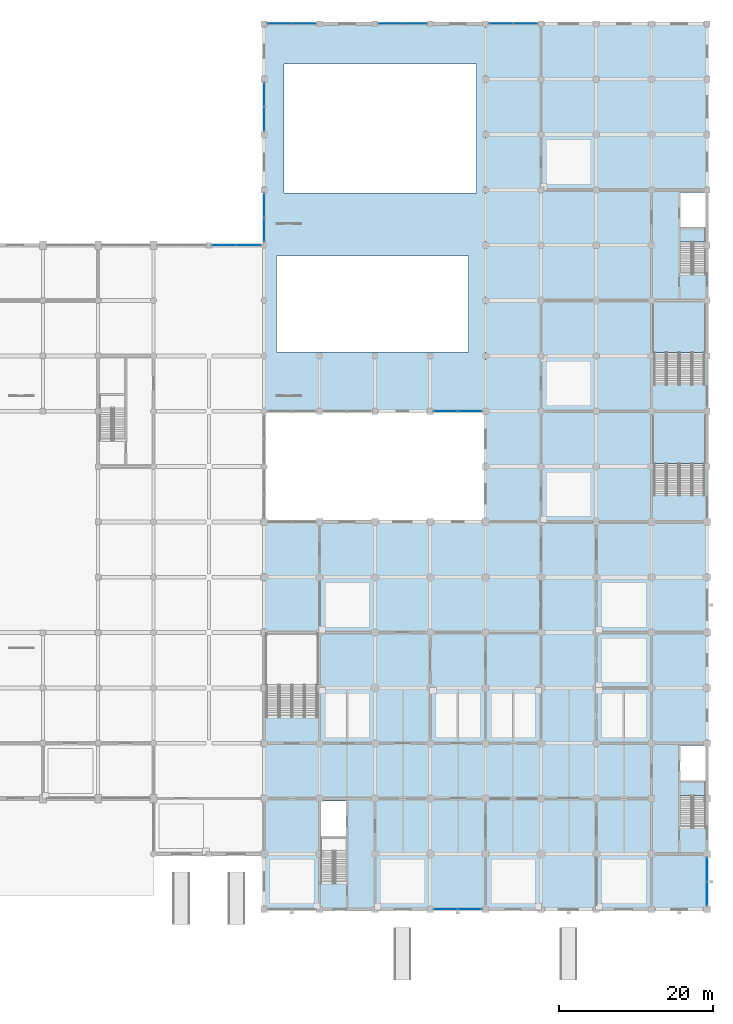
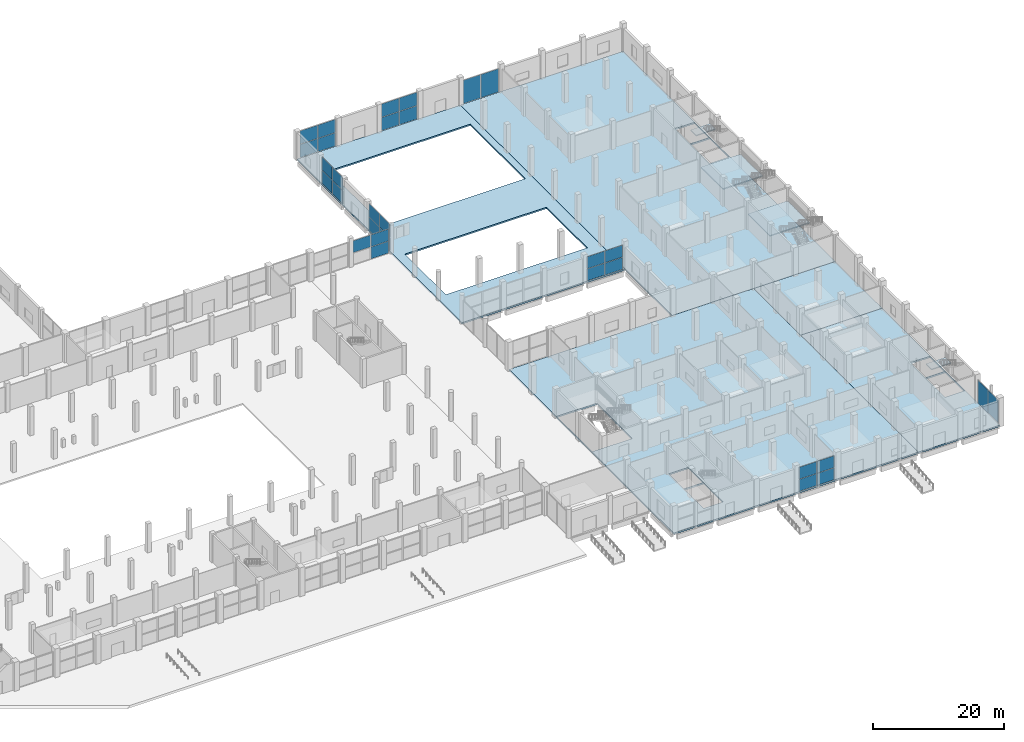
# One storey, part 43 of 70: 31 plates, 9 slabs, 13 elements without a shape of their own.
"""IFC4 building model written with IfcOpenShell, lengths in metres."""

import ifcopenshell
import ifcopenshell.guid

model = None  # the IFC model being written
_history = None  # IfcOwnerHistory: only IFC2X3 demands one
_inside = {}  # id of a spatial element -> (the spatial element, [elements in it])
_under = {}  # id of a project, library or spatial element -> (it, [spatial elements below it])
_declared = {}  # id of a project -> (the project, [libraries it declares])
_typed = {}  # id of a type object -> (the type object, [elements of that type])
_made_of = {}  # id of a material, layer set ... -> (it, [elements and type objects made of it])


def new_model(schema):
    """Start an empty IFC model of exactly this schema.

    Asked for "IFC4X3", IfcOpenShell would pick the latest addendum, in which some entities
    have other attributes; the version numbers below select the first issue.
    IFC2X3 requires an IfcOwnerHistory on every rooted entity: one is made here for all.
    """
    global model, _history
    if schema == "IFC4X3":
        model = ifcopenshell.file(schema_version=(4, 3, 0, 0))
    else:
        model = ifcopenshell.file(schema=schema)
    _inside.clear()
    _under.clear()
    _declared.clear()
    _typed.clear()
    _made_of.clear()
    _history = None
    if model.schema == "IFC2X3":
        org = make("IfcOrganization", Name="unknown")
        user = make(
            "IfcPersonAndOrganization",
            ThePerson=make("IfcPerson", FamilyName="unknown"),
            TheOrganization=org,
        )
        app = make(
            "IfcApplication",
            ApplicationDeveloper=org,
            Version="unknown",
            ApplicationFullName="unknown",
            ApplicationIdentifier="unknown",
        )
        _history = make(
            "IfcOwnerHistory",
            OwningUser=user,
            OwningApplication=app,
            ChangeAction="ADDED",
            CreationDate=0,
        )
    return model


def make(cls, **values):
    """One entity of the class cls with the attributes given. An attribute that is None is left unset."""
    return model.create_entity(
        cls, **{name: value for name, value in values.items() if value is not None}
    )


def rooted(cls, **values):
    """An entity with a GlobalId (a new one), such as an element, a storey or a relation."""
    return make(cls, GlobalId=ifcopenshell.guid.new(), OwnerHistory=_history, **values)


def si_unit(unit_type, name, prefix=None):
    """IfcSIUnit, for example si_unit("LENGTHUNIT", "METRE", prefix="MILLI")."""
    return make("IfcSIUnit", UnitType=unit_type, Prefix=prefix, Name=name)


def assignment(units):
    """IfcUnitAssignment: the units of a project."""
    return None if units is None else make("IfcUnitAssignment", Units=units)


def point(xyz):
    """IfcCartesianPoint."""
    return None if xyz is None else make("IfcCartesianPoint", Coordinates=xyz)


def direction(xyz):
    """IfcDirection."""
    return None if xyz is None else make("IfcDirection", DirectionRatios=xyz)


def frame(location, z_axis=None, x_axis=None):
    """IfcAxis2Placement3D, a coordinate frame: its origin and axes. An axis left out is left unset."""
    return make(
        "IfcAxis2Placement3D",
        Location=point(location),
        Axis=direction(z_axis),
        RefDirection=direction(x_axis),
    )


def frame_2d(location, x_axis=None):
    """IfcAxis2Placement2D, a coordinate frame in the plane: its origin and x axis."""
    return make(
        "IfcAxis2Placement2D", Location=point(location), RefDirection=direction(x_axis)
    )


def origin():
    """The frame at (0, 0, 0) with its axes left unset."""
    return frame((0.0, 0.0, 0.0))


def origin_2d():
    """The frame at (0, 0) in the plane with its x axis left unset."""
    return frame_2d((0.0, 0.0))


def place(relative_to, where):
    """IfcLocalPlacement: puts the frame where relative to a parent placement (None: the world)."""
    return make(
        "IfcLocalPlacement", PlacementRelTo=relative_to, RelativePlacement=where
    )


def context(
    kind, dimensions, precision=None, world=None, true_north=None, identifier=None
):
    """IfcGeometricRepresentationContext, for example the 3D "Model" context."""
    return make(
        "IfcGeometricRepresentationContext",
        ContextIdentifier=identifier,
        ContextType=kind,
        CoordinateSpaceDimension=dimensions,
        Precision=precision,
        WorldCoordinateSystem=world,
        TrueNorth=true_north,
    )


def subcontext(parent, identifier, kind, view, scale=None):
    """IfcGeometricRepresentationSubContext, for example "Body" below "Model"."""
    return make(
        "IfcGeometricRepresentationSubContext",
        ContextIdentifier=identifier,
        ContextType=kind,
        ParentContext=parent,
        TargetScale=scale,
        TargetView=view,
    )


def project(units=None, contexts=None):
    """IfcProject with its units and contexts."""
    return rooted(
        "IfcProject",
        Name="project",
        RepresentationContexts=contexts,
        UnitsInContext=assignment(units),
    )


def spatial(cls, under=None, at=None, **own):
    """A site, building, storey or space (cls), placed at a placement, below another one or the project."""
    s = rooted(cls, ObjectPlacement=at, **own)
    if under is not None:
        _under.setdefault(under.id(), (under, []))[1].append(s)
    return s


def polyline(points):
    """IfcPolyline through the points."""
    return make("IfcPolyline", Points=[point(p) for p in points])


def profile(cls, at=None, kind="AREA", **sizes):
    """A parametric profile (cls). Its sizes go by their IFC names, for example OverallWidth=200.0."""
    return make(cls, ProfileType=kind, Position=at, **sizes)


def rectangle(**sizes):
    """IfcRectangleProfileDef."""
    return profile("IfcRectangleProfileDef", **sizes)


def outline(outer, holes=None, kind="AREA"):
    """IfcArbitraryClosedProfileDef: a profile drawn as a closed curve; with holes, ...WithVoids."""
    if holes is None:
        return make("IfcArbitraryClosedProfileDef", ProfileType=kind, OuterCurve=outer)
    return make(
        "IfcArbitraryProfileDefWithVoids",
        ProfileType=kind,
        OuterCurve=outer,
        InnerCurves=holes,
    )


def extrude(swept, where, along, depth):
    """IfcExtrudedAreaSolid: the profile swept, set in the frame where, extruded along a direction by depth."""
    return make(
        "IfcExtrudedAreaSolid",
        SweptArea=swept,
        Position=where,
        ExtrudedDirection=direction(along),
        Depth=depth,
    )


def shape(context_of_items, identifier, shape_type, items):
    """IfcShapeRepresentation: the items that make up one representation, for example the "Body"."""
    return make(
        "IfcShapeRepresentation",
        ContextOfItems=context_of_items,
        RepresentationIdentifier=identifier,
        RepresentationType=shape_type,
        Items=items,
    )


def material(Name=None, Category=None):
    """IfcMaterial."""
    return make("IfcMaterial", Name=Name, Category=Category)


def layer(
    of_material, thickness, ventilated=None, Name=None, Category=None, Priority=None
):
    """IfcMaterialLayer: one layer of a wall or slab, of a material (None: an air gap)."""
    return make(
        "IfcMaterialLayer",
        Material=of_material,
        LayerThickness=thickness,
        IsVentilated=ventilated,
        Name=Name,
        Category=Category,
        Priority=Priority,
    )


def layer_set(layers, Name=None):
    """IfcMaterialLayerSet."""
    return make("IfcMaterialLayerSet", MaterialLayers=layers, LayerSetName=Name)


def made_of(thing, what):
    """Note that an element or type object is made of a material, layer set ...; save() writes the relation."""
    if what is not None:
        _made_of.setdefault(what.id(), (what, []))[1].append(thing)
    return thing


def type_object(cls, material=None, **own):
    """A type object (cls), such as IfcWallType, which elements share."""
    return made_of(rooted(cls, **own), material)


def element(
    cls,
    number,
    at=None,
    inside=None,
    cuts=None,
    type_object=None,
    material=None,
    context=None,
    identifier="Body",
    shape_type=None,
    held_by="IfcProductDefinitionShape",
    body=None,
    shapes=None,
    **own,
):
    """One element of the class cls, such as IfcWall. Its Tag is "e" and its number.

    at: its placement. inside: the storey or other place that contains it. cuts: it is an
    opening in that element (IfcRelVoidsElement). A single representation is given by context,
    identifier, shape_type and body (its items); several are given by shapes. held_by: the class
    of the entity that holds the representations. save() writes the other relations.
    """
    e = rooted(cls, Tag="e%d" % number, ObjectPlacement=at, **own)
    if body is not None:
        shapes = [shape(context, identifier, shape_type, body)]
    if shapes is not None:
        e.Representation = make(held_by, Representations=shapes)
    if inside is not None:
        _inside.setdefault(inside.id(), (inside, []))[1].append(e)
    if cuts is not None:
        rooted(
            "IfcRelVoidsElement", RelatingBuildingElement=cuts, RelatedOpeningElement=e
        )
    if type_object is not None:
        _typed.setdefault(type_object.id(), (type_object, []))[1].append(e)
    return made_of(e, material)


def aggregate(whole, parts):
    """IfcRelAggregates: a whole, such as a stair, and the parts it consists of."""
    return rooted("IfcRelAggregates", RelatingObject=whole, RelatedObjects=parts)


def save(model, path):
    """Write the relations noted so far, then the file.

    IfcRelAggregates (storeys below a building ...), IfcRelContainedInSpatialStructure (elements
    in a storey), IfcRelDefinesByType, IfcRelAssociatesMaterial and IfcRelDeclares: one each for
    every whole, place, type object, material and project.
    """
    for whole, parts in _under.values():
        aggregate(whole, parts)
    for where, things in _inside.values():
        rooted(
            "IfcRelContainedInSpatialStructure",
            RelatedElements=things,
            RelatingStructure=where,
        )
    for kind, things in _typed.values():
        rooted("IfcRelDefinesByType", RelatedObjects=things, RelatingType=kind)
    for what, things in _made_of.values():
        rooted("IfcRelAssociatesMaterial", RelatedObjects=things, RelatingMaterial=what)
    for by, libraries in _declared.values():
        rooted("IfcRelDeclares", RelatingContext=by, RelatedDefinitions=libraries)
    model.write(path)


model = new_model("IFC4")

# Units and contexts
model_context = context("Model", 3, precision=1e-05, world=origin(), true_north=direction((0.0, 1.0)))
body_context = subcontext(model_context, "Body", "Model", "MODEL_VIEW")
ifc_project = project(units=[si_unit("LENGTHUNIT", "METRE"), si_unit("AREAUNIT", "SQUARE_METRE"), si_unit("VOLUMEUNIT", "CUBIC_METRE"), si_unit("PLANEANGLEUNIT", "RADIAN"), si_unit("MASSUNIT", "GRAM", prefix="KILO")], contexts=[model_context])

# Site, building, storey
site_placement = place(None, origin())
site = spatial("IfcSite", under=ifc_project, at=site_placement, CompositionType="ELEMENT")
building_placement = place(site_placement, origin())
building = spatial("IfcBuilding", under=site, at=building_placement, Name="Vesperath Aquatics Centre", CompositionType="ELEMENT")
storey_placement = place(building_placement, origin())
storey = spatial("IfcBuildingStorey", under=building, at=storey_placement, Name="L00", CompositionType="ELEMENT", Elevation=0.0)

# Curtain wall, plates
ifc_material_1 = material(Name="Thermally broken anodised bronze aluminium curtain wall", Category="aluminium")
curtain_wall_type = type_object("IfcCurtainWallType", Name="CW-01", PredefinedType="NOTDEFINED", material=ifc_material_1)
curtain_wall_1_placement = place(storey_placement, origin())
curtain_wall_1 = element("IfcCurtainWall", 1, at=curtain_wall_1_placement, inside=storey, type_object=curtain_wall_type, Name="Facade Curtain Wall CW01 L00_S_19_00", PredefinedType="NOTDEFINED")
ifc_material_2 = material(Name="Triple low-E argon insulated vision glass", Category="glass")
ifc_layer_1 = layer(ifc_material_2, 0.035888671875)
ifc_layer_set_1 = layer_set([ifc_layer_1], Name="Triple low-E argon insulated vision glass")
plate_type = type_object("IfcPlateType", Name="PT-CWP01", PredefinedType="CURTAIN_PANEL", material=ifc_layer_set_1)
plate_1_placement = place(storey_placement, frame((138.84375, 0.0, 0.074951171875), z_axis=(0.0, 0.0, 1.0), x_axis=(1.0, 0.0, 0.0)))
plate_1 = element("IfcPlate", 2, at=plate_1_placement, type_object=plate_type, Name="CW01 panel 1.1", PredefinedType="CURTAIN_PANEL", context=body_context, shape_type="SweptSolid", body=[
    extrude(rectangle(XDim=3.03759765625, YDim=0.035888671875, at=origin_2d()), origin(), (0.0, 0.0, 1.0), 2.20751953125),
])
plate_2_placement = place(storey_placement, frame((138.84375, 0.0, 2.357421875), z_axis=(0.0, 0.0, 1.0), x_axis=(1.0, 0.0, 0.0)))
plate_2 = element("IfcPlate", 3, at=plate_2_placement, type_object=plate_type, Name="CW01 panel 1.2", PredefinedType="CURTAIN_PANEL", context=body_context, shape_type="SweptSolid", body=[
    extrude(rectangle(XDim=3.03759765625, YDim=0.035888671875, at=origin_2d()), origin(), (0.0, 0.0, 1.0), 2.20751953125),
])
plate_3_placement = place(storey_placement, frame((141.956298828125, 0.0, 0.074951171875), z_axis=(0.0, 0.0, 1.0), x_axis=(1.0, 0.0, 0.0)))
plate_3 = element("IfcPlate", 4, at=plate_3_placement, type_object=plate_type, Name="CW01 panel 2.1", PredefinedType="CURTAIN_PANEL", context=body_context, shape_type="SweptSolid", body=[
    extrude(rectangle(XDim=3.03759765625, YDim=0.035888671875, at=origin_2d()), origin(), (0.0, 0.0, 1.0), 2.20751953125),
])
plate_4_placement = place(storey_placement, frame((141.956298828125, 0.0, 2.357421875), z_axis=(0.0, 0.0, 1.0), x_axis=(1.0, 0.0, 0.0)))
plate_4 = element("IfcPlate", 5, at=plate_4_placement, type_object=plate_type, Name="CW01 panel 2.2", PredefinedType="CURTAIN_PANEL", context=body_context, shape_type="SweptSolid", body=[
    extrude(rectangle(XDim=3.03759765625, YDim=0.035888671875, at=origin_2d()), origin(), (0.0, 0.0, 1.0), 2.20751953125),
])
aggregate(curtain_wall_1, [plate_1, plate_2, plate_3, plate_4])

curtain_wall_2_placement = place(storey_placement, origin())
curtain_wall_2 = element("IfcCurtainWall", 6, at=curtain_wall_2_placement, inside=storey, type_object=curtain_wall_type, Name="Facade Curtain Wall CW01 L00_S_19_09", PredefinedType="NOTDEFINED")
plate_5_placement = place(storey_placement, frame((138.81884765625, 64.800048828125, 0.074951171875), z_axis=(0.0, 0.0, 1.0), x_axis=(1.0, 0.0, 0.0)))
plate_5 = element("IfcPlate", 7, at=plate_5_placement, type_object=plate_type, Name="CW01 panel 1.1", PredefinedType="CURTAIN_PANEL", context=body_context, shape_type="SweptSolid", body=[
    extrude(rectangle(XDim=3.08740234375, YDim=0.035888671875, at=origin_2d()), origin(), (0.0, 0.0, 1.0), 2.20751953125),
])
plate_6_placement = place(storey_placement, frame((138.81884765625, 64.800048828125, 2.357421875), z_axis=(0.0, 0.0, 1.0), x_axis=(1.0, 0.0, 0.0)))
plate_6 = element("IfcPlate", 8, at=plate_6_placement, type_object=plate_type, Name="CW01 panel 1.2", PredefinedType="CURTAIN_PANEL", context=body_context, shape_type="SweptSolid", body=[
    extrude(rectangle(XDim=3.08740234375, YDim=0.035888671875, at=origin_2d()), origin(), (0.0, 0.0, 1.0), 2.20751953125),
])
plate_7_placement = place(storey_placement, frame((141.981201171875, 64.800048828125, 0.074951171875), z_axis=(0.0, 0.0, 1.0), x_axis=(1.0, 0.0, 0.0)))
plate_7 = element("IfcPlate", 9, at=plate_7_placement, type_object=plate_type, Name="CW01 panel 2.1", PredefinedType="CURTAIN_PANEL", context=body_context, shape_type="SweptSolid", body=[
    extrude(rectangle(XDim=3.08740234375, YDim=0.035888671875, at=origin_2d()), origin(), (0.0, 0.0, 1.0), 2.20751953125),
])
plate_8_placement = place(storey_placement, frame((141.981201171875, 64.800048828125, 2.357421875), z_axis=(0.0, 0.0, 1.0), x_axis=(1.0, 0.0, 0.0)))
plate_8 = element("IfcPlate", 10, at=plate_8_placement, type_object=plate_type, Name="CW01 panel 2.2", PredefinedType="CURTAIN_PANEL", context=body_context, shape_type="SweptSolid", body=[
    extrude(rectangle(XDim=3.08740234375, YDim=0.035888671875, at=origin_2d()), origin(), (0.0, 0.0, 1.0), 2.20751953125),
])
aggregate(curtain_wall_2, [plate_5, plate_6, plate_7, plate_8])

curtain_wall_3_placement = place(storey_placement, origin())
curtain_wall_3 = element("IfcCurtainWall", 11, at=curtain_wall_3_placement, inside=storey, type_object=curtain_wall_type, Name="Facade Curtain Wall CW01 L00_N_15_12", PredefinedType="NOTDEFINED")
plate_9_placement = place(storey_placement, frame((109.981201171875, 86.39990234375, 2.357421875), z_axis=(0.0, 0.0, 1.0), x_axis=(1.0, 0.0, 0.0)))
plate_9 = element("IfcPlate", 12, at=plate_9_placement, type_object=plate_type, Name="CW01 panel 1.2", PredefinedType="CURTAIN_PANEL", context=body_context, shape_type="SweptSolid", body=[
    extrude(rectangle(XDim=3.112548828125, YDim=0.035888671875, at=origin_2d()), origin(), (0.0, 0.0, 1.0), 2.20751953125),
])
plate_10_placement = place(storey_placement, frame((113.168701171875, 86.39990234375, 0.074951171875), z_axis=(0.0, 0.0, 1.0), x_axis=(1.0, 0.0, 0.0)))
plate_10 = element("IfcPlate", 13, at=plate_10_placement, type_object=plate_type, Name="CW01 panel 2.1", PredefinedType="CURTAIN_PANEL", context=body_context, shape_type="SweptSolid", body=[
    extrude(rectangle(XDim=3.112548828125, YDim=0.035888671875, at=origin_2d()), origin(), (0.0, 0.0, 1.0), 2.20751953125),
])
plate_11_placement = place(storey_placement, frame((113.168701171875, 86.39990234375, 2.357421875), z_axis=(0.0, 0.0, 1.0), x_axis=(1.0, 0.0, 0.0)))
plate_11 = element("IfcPlate", 14, at=plate_11_placement, type_object=plate_type, Name="CW01 panel 2.2", PredefinedType="CURTAIN_PANEL", context=body_context, shape_type="SweptSolid", body=[
    extrude(rectangle(XDim=3.112548828125, YDim=0.035888671875, at=origin_2d()), origin(), (0.0, 0.0, 1.0), 2.20751953125),
])
aggregate(curtain_wall_3, [plate_9, plate_10, plate_11])

curtain_wall_4_placement = place(storey_placement, origin())
curtain_wall_4 = element("IfcCurtainWall", 15, at=curtain_wall_4_placement, inside=storey, type_object=curtain_wall_type, Name="Facade Curtain Wall CW01 L00_N_16_16", PredefinedType="NOTDEFINED")
plate_12_placement = place(storey_placement, frame((117.21875, 115.199951171875, 0.074951171875), z_axis=(0.0, 0.0, 1.0), x_axis=(1.0, 0.0, 0.0)))
plate_12 = element("IfcPlate", 16, at=plate_12_placement, type_object=plate_type, Name="CW01 panel 1.1", PredefinedType="CURTAIN_PANEL", context=body_context, shape_type="SweptSolid", body=[
    extrude(rectangle(XDim=3.08740234375, YDim=0.035888671875, at=origin_2d()), origin(), (0.0, 0.0, 1.0), 2.45751953125),
])
plate_13_placement = place(storey_placement, frame((117.21875, 115.199951171875, 2.607421875), z_axis=(0.0, 0.0, 1.0), x_axis=(1.0, 0.0, 0.0)))
plate_13 = element("IfcPlate", 17, at=plate_13_placement, type_object=plate_type, Name="CW01 panel 1.2", PredefinedType="CURTAIN_PANEL", context=body_context, shape_type="SweptSolid", body=[
    extrude(rectangle(XDim=3.08740234375, YDim=0.035888671875, at=origin_2d()), origin(), (0.0, 0.0, 1.0), 2.45751953125),
])
plate_14_placement = place(storey_placement, frame((120.38134765625, 115.199951171875, 0.074951171875), z_axis=(0.0, 0.0, 1.0), x_axis=(1.0, 0.0, 0.0)))
plate_14 = element("IfcPlate", 18, at=plate_14_placement, type_object=plate_type, Name="CW01 panel 2.1", PredefinedType="CURTAIN_PANEL", context=body_context, shape_type="SweptSolid", body=[
    extrude(rectangle(XDim=3.08740234375, YDim=0.035888671875, at=origin_2d()), origin(), (0.0, 0.0, 1.0), 2.45751953125),
])
plate_15_placement = place(storey_placement, frame((120.38134765625, 115.199951171875, 2.607421875), z_axis=(0.0, 0.0, 1.0), x_axis=(1.0, 0.0, 0.0)))
plate_15 = element("IfcPlate", 19, at=plate_15_placement, type_object=plate_type, Name="CW01 panel 2.2", PredefinedType="CURTAIN_PANEL", context=body_context, shape_type="SweptSolid", body=[
    extrude(rectangle(XDim=3.08740234375, YDim=0.035888671875, at=origin_2d()), origin(), (0.0, 0.0, 1.0), 2.45751953125),
])
aggregate(curtain_wall_4, [plate_12, plate_13, plate_14, plate_15])

curtain_wall_5_placement = place(storey_placement, origin())
curtain_wall_5 = element("IfcCurtainWall", 20, at=curtain_wall_5_placement, inside=storey, type_object=curtain_wall_type, Name="Facade Curtain Wall CW01 L00_N_18_16", PredefinedType="NOTDEFINED")
plate_16_placement = place(storey_placement, frame((131.61865234375, 115.199951171875, 0.074951171875), z_axis=(0.0, 0.0, 1.0), x_axis=(1.0, 0.0, 0.0)))
plate_16 = element("IfcPlate", 21, at=plate_16_placement, type_object=plate_type, Name="CW01 panel 1.1", PredefinedType="CURTAIN_PANEL", context=body_context, shape_type="SweptSolid", body=[
    extrude(rectangle(XDim=3.08740234375, YDim=0.035888671875, at=origin_2d()), origin(), (0.0, 0.0, 1.0), 2.45751953125),
])
plate_17_placement = place(storey_placement, frame((131.61865234375, 115.199951171875, 2.607421875), z_axis=(0.0, 0.0, 1.0), x_axis=(1.0, 0.0, 0.0)))
plate_17 = element("IfcPlate", 22, at=plate_17_placement, type_object=plate_type, Name="CW01 panel 1.2", PredefinedType="CURTAIN_PANEL", context=body_context, shape_type="SweptSolid", body=[
    extrude(rectangle(XDim=3.08740234375, YDim=0.035888671875, at=origin_2d()), origin(), (0.0, 0.0, 1.0), 2.45751953125),
])
plate_18_placement = place(storey_placement, frame((134.78125, 115.199951171875, 0.074951171875), z_axis=(0.0, 0.0, 1.0), x_axis=(1.0, 0.0, 0.0)))
plate_18 = element("IfcPlate", 23, at=plate_18_placement, type_object=plate_type, Name="CW01 panel 2.1", PredefinedType="CURTAIN_PANEL", context=body_context, shape_type="SweptSolid", body=[
    extrude(rectangle(XDim=3.08740234375, YDim=0.035888671875, at=origin_2d()), origin(), (0.0, 0.0, 1.0), 2.45751953125),
])
plate_19_placement = place(storey_placement, frame((134.78125, 115.199951171875, 2.607421875), z_axis=(0.0, 0.0, 1.0), x_axis=(1.0, 0.0, 0.0)))
plate_19 = element("IfcPlate", 24, at=plate_19_placement, type_object=plate_type, Name="CW01 panel 2.2", PredefinedType="CURTAIN_PANEL", context=body_context, shape_type="SweptSolid", body=[
    extrude(rectangle(XDim=3.08740234375, YDim=0.035888671875, at=origin_2d()), origin(), (0.0, 0.0, 1.0), 2.45751953125),
])
aggregate(curtain_wall_5, [plate_16, plate_17, plate_18, plate_19])

curtain_wall_6_placement = place(storey_placement, origin())
curtain_wall_6 = element("IfcCurtainWall", 25, at=curtain_wall_6_placement, inside=storey, type_object=curtain_wall_type, Name="Facade Curtain Wall CW01 L00_N_20_16", PredefinedType="NOTDEFINED")
plate_20_placement = place(storey_placement, frame((146.018798828125, 115.199951171875, 0.0751953125), z_axis=(0.0, 0.0, 1.0), x_axis=(1.0, 0.0, 0.0)))
plate_20 = element("IfcPlate", 26, at=plate_20_placement, type_object=plate_type, Name="CW01 panel 1.1", PredefinedType="CURTAIN_PANEL", context=body_context, shape_type="SweptSolid", body=[
    extrude(rectangle(XDim=3.08740234375, YDim=0.035888671875, at=origin_2d()), origin(), (0.0, 0.0, 1.0), 4.344970703125),
])
plate_21_placement = place(storey_placement, frame((149.18115234375, 115.199951171875, 0.0751953125), z_axis=(0.0, 0.0, 1.0), x_axis=(1.0, 0.0, 0.0)))
plate_21 = element("IfcPlate", 27, at=plate_21_placement, type_object=plate_type, Name="CW01 panel 2.1", PredefinedType="CURTAIN_PANEL", context=body_context, shape_type="SweptSolid", body=[
    extrude(rectangle(XDim=3.08740234375, YDim=0.035888671875, at=origin_2d()), origin(), (0.0, 0.0, 1.0), 4.344970703125),
])
aggregate(curtain_wall_6, [plate_20, plate_21])

curtain_wall_7_placement = place(storey_placement, origin())
curtain_wall_7 = element("IfcCurtainWall", 28, at=curtain_wall_7_placement, inside=storey, type_object=curtain_wall_type, Name="Facade Curtain Wall CW01 L00_W_16_12", PredefinedType="NOTDEFINED")
plate_22_placement = place(storey_placement, frame((115.199951171875, 88.418701171875, 0.074951171875), z_axis=(0.0, 0.0, 1.0), x_axis=(0.0, 1.0, 0.0)))
plate_22 = element("IfcPlate", 29, at=plate_22_placement, type_object=plate_type, Name="CW01 panel 1.1", PredefinedType="CURTAIN_PANEL", context=body_context, shape_type="SweptSolid", body=[
    extrude(rectangle(XDim=3.08740234375, YDim=0.035888671875, at=origin_2d()), origin(), (0.0, 0.0, 1.0), 2.45751953125),
])
plate_23_placement = place(storey_placement, frame((115.199951171875, 88.418701171875, 2.607421875), z_axis=(0.0, 0.0, 1.0), x_axis=(0.0, 1.0, 0.0)))
plate_23 = element("IfcPlate", 30, at=plate_23_placement, type_object=plate_type, Name="CW01 panel 1.2", PredefinedType="CURTAIN_PANEL", context=body_context, shape_type="SweptSolid", body=[
    extrude(rectangle(XDim=3.08740234375, YDim=0.035888671875, at=origin_2d()), origin(), (0.0, 0.0, 1.0), 2.45751953125),
])
plate_24_placement = place(storey_placement, frame((115.199951171875, 91.581298828125, 0.074951171875), z_axis=(0.0, 0.0, 1.0), x_axis=(0.0, 1.0, 0.0)))
plate_24 = element("IfcPlate", 31, at=plate_24_placement, type_object=plate_type, Name="CW01 panel 2.1", PredefinedType="CURTAIN_PANEL", context=body_context, shape_type="SweptSolid", body=[
    extrude(rectangle(XDim=3.08740234375, YDim=0.035888671875, at=origin_2d()), origin(), (0.0, 0.0, 1.0), 2.45751953125),
])
plate_25_placement = place(storey_placement, frame((115.199951171875, 91.581298828125, 2.607421875), z_axis=(0.0, 0.0, 1.0), x_axis=(0.0, 1.0, 0.0)))
plate_25 = element("IfcPlate", 32, at=plate_25_placement, type_object=plate_type, Name="CW01 panel 2.2", PredefinedType="CURTAIN_PANEL", context=body_context, shape_type="SweptSolid", body=[
    extrude(rectangle(XDim=3.08740234375, YDim=0.035888671875, at=origin_2d()), origin(), (0.0, 0.0, 1.0), 2.45751953125),
])
aggregate(curtain_wall_7, [plate_22, plate_23, plate_24, plate_25])

curtain_wall_8_placement = place(storey_placement, origin())
curtain_wall_8 = element("IfcCurtainWall", 33, at=curtain_wall_8_placement, inside=storey, type_object=curtain_wall_type, Name="Facade Curtain Wall CW01 L00_W_16_14", PredefinedType="NOTDEFINED")
plate_26_placement = place(storey_placement, frame((115.199951171875, 102.81884765625, 0.074951171875), z_axis=(0.0, 0.0, 1.0), x_axis=(0.0, 1.0, 0.0)))
plate_26 = element("IfcPlate", 34, at=plate_26_placement, type_object=plate_type, Name="CW01 panel 1.1", PredefinedType="CURTAIN_PANEL", context=body_context, shape_type="SweptSolid", body=[
    extrude(rectangle(XDim=3.08740234375, YDim=0.035888671875, at=origin_2d()), origin(), (0.0, 0.0, 1.0), 2.45751953125),
])
plate_27_placement = place(storey_placement, frame((115.199951171875, 102.81884765625, 2.607421875), z_axis=(0.0, 0.0, 1.0), x_axis=(0.0, 1.0, 0.0)))
plate_27 = element("IfcPlate", 35, at=plate_27_placement, type_object=plate_type, Name="CW01 panel 1.2", PredefinedType="CURTAIN_PANEL", context=body_context, shape_type="SweptSolid", body=[
    extrude(rectangle(XDim=3.08740234375, YDim=0.035888671875, at=origin_2d()), origin(), (0.0, 0.0, 1.0), 2.45751953125),
])
plate_28_placement = place(storey_placement, frame((115.199951171875, 105.981201171875, 0.074951171875), z_axis=(0.0, 0.0, 1.0), x_axis=(0.0, 1.0, 0.0)))
plate_28 = element("IfcPlate", 36, at=plate_28_placement, type_object=plate_type, Name="CW01 panel 2.1", PredefinedType="CURTAIN_PANEL", context=body_context, shape_type="SweptSolid", body=[
    extrude(rectangle(XDim=3.08740234375, YDim=0.035888671875, at=origin_2d()), origin(), (0.0, 0.0, 1.0), 2.45751953125),
])
plate_29_placement = place(storey_placement, frame((115.199951171875, 105.981201171875, 2.607421875), z_axis=(0.0, 0.0, 1.0), x_axis=(0.0, 1.0, 0.0)))
plate_29 = element("IfcPlate", 37, at=plate_29_placement, type_object=plate_type, Name="CW01 panel 2.2", PredefinedType="CURTAIN_PANEL", context=body_context, shape_type="SweptSolid", body=[
    extrude(rectangle(XDim=3.08740234375, YDim=0.035888671875, at=origin_2d()), origin(), (0.0, 0.0, 1.0), 2.45751953125),
])
aggregate(curtain_wall_8, [plate_26, plate_27, plate_28, plate_29])

curtain_wall_9_placement = place(storey_placement, origin())
curtain_wall_9 = element("IfcCurtainWall", 38, at=curtain_wall_9_placement, inside=storey, type_object=curtain_wall_type, Name="Facade Curtain Wall CW01 L00_E_24_00", PredefinedType="NOTDEFINED")
plate_30_placement = place(storey_placement, frame((172.800048828125, 2.043701171875, 0.074951171875), z_axis=(0.0, 0.0, 1.0), x_axis=(0.0, 1.0, 0.0)))
plate_30 = element("IfcPlate", 39, at=plate_30_placement, type_object=plate_type, Name="CW01 panel 1.1", PredefinedType="CURTAIN_PANEL", context=body_context, shape_type="SweptSolid", body=[
    extrude(rectangle(XDim=3.03759765625, YDim=0.035888671875, at=origin_2d()), origin(), (0.0, 0.0, 1.0), 4.2900390625),
])
plate_31_placement = place(storey_placement, frame((172.800048828125, 5.15625, 0.074951171875), z_axis=(0.0, 0.0, 1.0), x_axis=(0.0, 1.0, 0.0)))
plate_31 = element("IfcPlate", 40, at=plate_31_placement, type_object=plate_type, Name="CW01 panel 2.1", PredefinedType="CURTAIN_PANEL", context=body_context, shape_type="SweptSolid", body=[
    extrude(rectangle(XDim=3.03759765625, YDim=0.035888671875, at=origin_2d()), origin(), (0.0, 0.0, 1.0), 4.2900390625),
])
aggregate(curtain_wall_9, [plate_30, plate_31])

# Slabs
ifc_material_3 = material(Name="Concrete C35", Category="concrete")
ifc_layer_2 = layer(ifc_material_3, 0.280029296875)
ifc_layer_set_2 = layer_set([ifc_layer_2], Name="Concrete C35")
slab_type_1 = type_object("IfcSlabType", Name="SL-FL01", PredefinedType="FLOOR", material=ifc_layer_set_2)
slab_1_placement = place(storey_placement, frame((0.0, 0.0, -0.280029296875)))
element("IfcSlab", 41, at=slab_1_placement, inside=storey, type_object=slab_type_1, Name="Training and Leisure Pool Deck Slab SL01 L00", PredefinedType="FLOOR", context=body_context, shape_type="SweptSolid", body=[
    extrude(outline(polyline([(115.199951171875, 64.800048828125), (144.0, 64.800048828125), (144.0, 115.199951171875), (115.199951171875, 115.199951171875), (115.199951171875, 64.800048828125)]), holes=[polyline([(117.800048828125, 93.199951171875), (142.800048828125, 93.199951171875), (142.800048828125, 110.0), (117.800048828125, 110.0), (117.800048828125, 93.199951171875)]), polyline([(116.800048828125, 72.5), (141.800048828125, 72.5), (141.800048828125, 85.0), (116.800048828125, 85.0), (116.800048828125, 72.5)])]), origin(), (0.0, 0.0, 1.0), 0.280029296875),
])
slab_2_placement = place(storey_placement, frame((0.0, 0.0, -0.280029296875)))
element("IfcSlab", 42, at=slab_2_placement, inside=storey, type_object=slab_type_1, Name="Changing Village Ground Slab SL01 L00", PredefinedType="FLOOR", context=body_context, shape_type="SweptSolid", body=[
    extrude(outline(polyline([(144.0, 50.39990234375), (172.800048828125, 50.39990234375), (172.800048828125, 115.199951171875), (144.0, 115.199951171875), (144.0, 50.39990234375)]), holes=[polyline([(169.260009765625, 82.64990234375), (172.719970703125, 82.64990234375), (172.719970703125, 88.56005859375), (169.260009765625, 88.56005859375), (169.260009765625, 82.64990234375)]), polyline([(169.260009765625, 88.739990234375), (172.719970703125, 88.739990234375), (172.719970703125, 93.280029296875), (169.260009765625, 93.280029296875), (169.260009765625, 88.739990234375)])]), origin(), (0.0, 0.0, 1.0), 0.280029296875),
])
slab_3_placement = place(storey_placement, frame((0.0, 0.0, -0.280029296875)))
element("IfcSlab", 43, at=slab_3_placement, inside=storey, type_object=slab_type_1, Name="Boulevard Wing Ground Slab SL01 L00", PredefinedType="FLOOR", context=body_context, shape_type="SweptSolid", body=[
    extrude(outline(polyline([(115.199951171875, 0.0), (158.39990234375, 0.0), (158.39990234375, 50.39990234375), (115.199951171875, 50.39990234375), (115.199951171875, 0.0)]), holes=[polyline([(122.47998046875, 3.449951171875), (125.93994140625, 3.449951171875), (125.93994140625, 9.360107421875), (122.47998046875, 9.360107421875), (122.47998046875, 3.449951171875)]), polyline([(122.47998046875, 9.5400390625), (125.93994140625, 9.5400390625), (125.93994140625, 14.080078125), (122.47998046875, 14.080078125), (122.47998046875, 9.5400390625)]), polyline([(115.280029296875, 25.050048828125), (122.320068359375, 25.050048828125), (122.320068359375, 35.919921875), (115.280029296875, 35.919921875), (115.280029296875, 25.050048828125)])]), origin(), (0.0, 0.0, 1.0), 0.280029296875),
])
slab_4_placement = place(storey_placement, frame((0.0, 0.0, -0.280029296875)))
element("IfcSlab", 44, at=slab_4_placement, inside=storey, type_object=slab_type_1, Name="Boulevard East Ground Slab SL01 L00", PredefinedType="FLOOR", context=body_context, shape_type="SweptSolid", body=[
    extrude(outline(polyline([(158.39990234375, 0.0), (172.800048828125, 0.0), (172.800048828125, 36.0), (158.39990234375, 36.0), (158.39990234375, 0.0)]), holes=[polyline([(169.260009765625, 10.64990234375), (172.719970703125, 10.64990234375), (172.719970703125, 16.56005859375), (169.260009765625, 16.56005859375), (169.260009765625, 10.64990234375)]), polyline([(169.260009765625, 16.739990234375), (172.719970703125, 16.739990234375), (172.719970703125, 21.280029296875), (169.260009765625, 21.280029296875), (169.260009765625, 16.739990234375)])]), origin(), (0.0, 0.0, 1.0), 0.280029296875),
])
ifc_material_4 = material(Name="Concrete C40", Category="concrete")
ifc_layer_3 = layer(ifc_material_4, 0.35009765625)
ifc_layer_set_3 = layer_set([ifc_layer_3], Name="Concrete C40")
slab_type_2 = type_object("IfcSlabType", Name="SL-LD01", PredefinedType="FLOOR", material=ifc_layer_set_3)
slab_5_placement = place(storey_placement, frame((0.0, 0.0, -0.35009765625)))
element("IfcSlab", 45, at=slab_5_placement, inside=storey, type_object=slab_type_2, Name="Enclosed Loading Bay Heavy Slab SL05 L00", PredefinedType="FLOOR", context=body_context, shape_type="SweptSolid", body=[
    extrude(outline(polyline([(158.39990234375, 36.0), (172.800048828125, 36.0), (172.800048828125, 50.39990234375), (158.39990234375, 50.39990234375), (158.39990234375, 36.0)])), origin(), (0.0, 0.0, 1.0), 0.35009765625),
])

# Stair, slab
stair_type_1 = type_object("IfcStairType", Name="ST-HW54", PredefinedType="HALF_TURN_STAIR", material=ifc_material_3)
stair_1_placement = place(storey_placement, origin())
stair_1 = element("IfcStair", 46, at=stair_1_placement, inside=storey, type_object=stair_type_1, Name="Enclosed Exit Stair ST13A L00", PredefinedType="HALF_TURN_STAIR")
ifc_layer_4 = layer(ifc_material_3, 0.199951171875)
ifc_layer_set_4 = layer_set([ifc_layer_4], Name="Concrete C35")
slab_type_3 = type_object("IfcSlabType", Name="SL-LND1", PredefinedType="LANDING", material=ifc_layer_set_4)
slab_6_placement = place(storey_placement, frame((0.0, 0.0, 2.5)))
slab_6 = element("IfcSlab", 47, at=slab_6_placement, type_object=slab_type_3, Name="Stairs ST13A and ST13B Half-Landing L00", PredefinedType="LANDING", context=body_context, shape_type="SweptSolid", body=[
    extrude(outline(polyline([(165.68994140625, 72.419921875), (172.7099609375, 72.419921875), (172.7099609375, 79.110107421875), (165.68994140625, 79.110107421875), (165.68994140625, 72.419921875)])), origin(), (0.0, 0.0, 1.0), 0.199951171875),
])
aggregate(stair_1, [slab_6])

stair_type_2 = type_object("IfcStairType", Name="ST-HT54", PredefinedType="HALF_TURN_STAIR", material=ifc_material_3)
stair_2_placement = place(storey_placement, origin())
stair_2 = element("IfcStair", 48, at=stair_2_placement, inside=storey, type_object=stair_type_2, Name="Enclosed Exit Stair ST4 L00", PredefinedType="HALF_TURN_STAIR")
ifc_layer_5 = layer(ifc_material_3, 0.18994140625)
ifc_layer_set_5 = layer_set([ifc_layer_5], Name="Concrete C35")
slab_type_4 = type_object("IfcSlabType", Name="SL-LND2", PredefinedType="LANDING", material=ifc_layer_set_5)
slab_7_placement = place(storey_placement, frame((0.0, 0.0, 2.510009765625)))
slab_7 = element("IfcSlab", 49, at=slab_7_placement, type_object=slab_type_4, Name="Stair ST4 Half-Landing L00", PredefinedType="LANDING", context=body_context, shape_type="SweptSolid", body=[
    extrude(outline(polyline([(169.280029296875, 86.820068359375), (172.7099609375, 86.820068359375), (172.7099609375, 88.5), (169.280029296875, 88.5), (169.280029296875, 86.820068359375)])), origin(), (0.0, 0.0, 1.0), 0.18994140625),
])
aggregate(stair_2, [slab_7])

stair_3_placement = place(storey_placement, origin())
stair_3 = element("IfcStair", 50, at=stair_3_placement, inside=storey, type_object=stair_type_2, Name="Enclosed Exit Stair ST6 L00", PredefinedType="HALF_TURN_STAIR")
slab_8_placement = place(storey_placement, frame((0.0, 0.0, 2.510009765625)))
slab_8 = element("IfcSlab", 51, at=slab_8_placement, type_object=slab_type_4, Name="Stair ST6 Half-Landing L00", PredefinedType="LANDING", context=body_context, shape_type="SweptSolid", body=[
    extrude(outline(polyline([(169.280029296875, 14.820068359375), (172.7099609375, 14.820068359375), (172.7099609375, 16.5), (169.280029296875, 16.5), (169.280029296875, 14.820068359375)])), origin(), (0.0, 0.0, 1.0), 0.18994140625),
])
aggregate(stair_3, [slab_8])

stair_4_placement = place(storey_placement, origin())
stair_4 = element("IfcStair", 52, at=stair_4_placement, inside=storey, type_object=stair_type_1, Name="Enclosed Exit Stair ST12A L00", PredefinedType="HALF_TURN_STAIR")
slab_9_placement = place(storey_placement, frame((0.0, 0.0, 2.510009765625)))
slab_9 = element("IfcSlab", 53, at=slab_9_placement, type_object=slab_type_4, Name="Stairs ST12A and ST12B Half-Landing L00", PredefinedType="LANDING", context=body_context, shape_type="SweptSolid", body=[
    extrude(outline(polyline([(165.68994140625, 58.02001953125), (172.7099609375, 58.02001953125), (172.7099609375, 64.7099609375), (165.68994140625, 64.7099609375), (165.68994140625, 58.02001953125)])), origin(), (0.0, 0.0, 1.0), 0.18994140625),
])
aggregate(stair_4, [slab_9])

save(model, "model.ifc")
